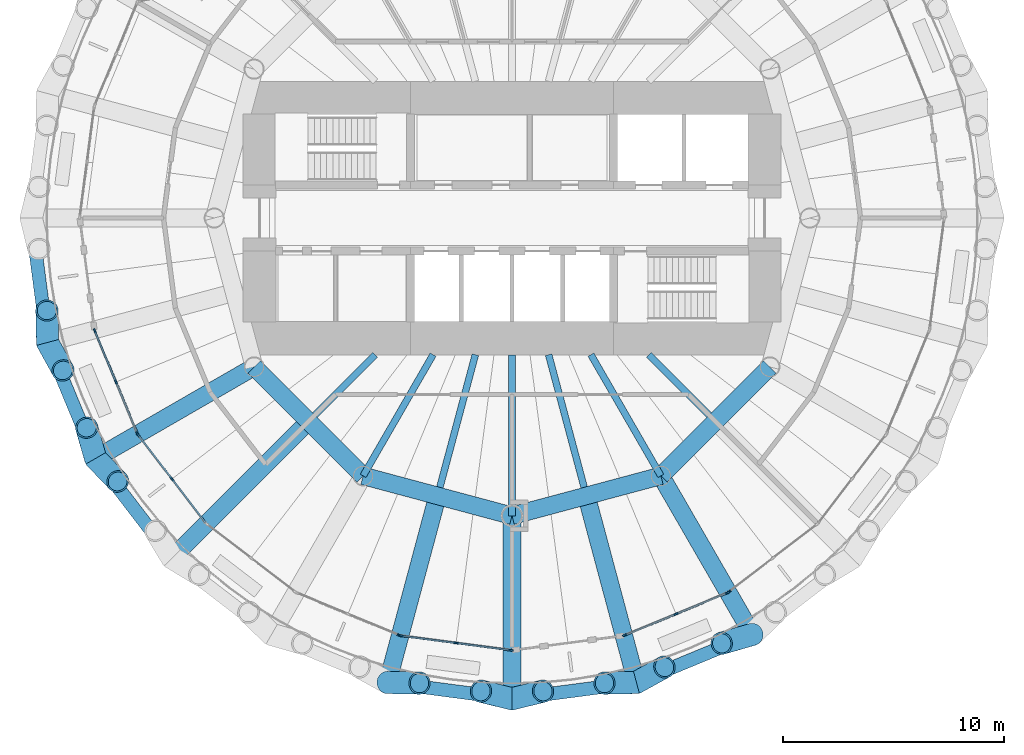
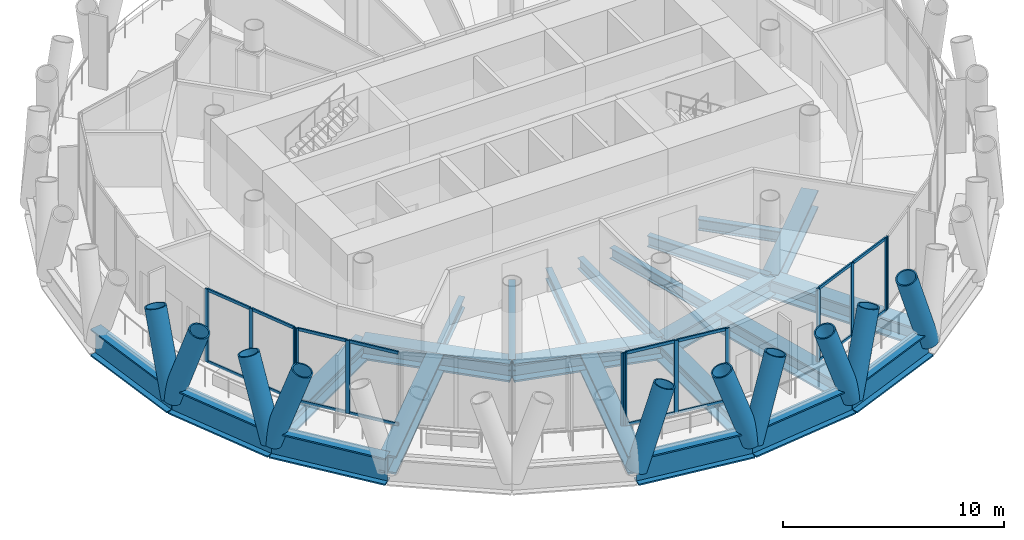
# One storey, part 2 of 14: 39 members, 23 beams, 6 elements without a shape of their own.
"""IFC4 building model written with IfcOpenShell, lengths in metres."""

from ifc_helpers import new_model, si_unit, direction, frame, origin, origin_2d, place, context, subcontext, project, spatial, rectangle, hollow_circle, i_section, extrude, material, material_profile, profile_set, type_object, element, aggregate, save


model = new_model("IFC4")

# Units and contexts
model_context = context("Model", 3, precision=1e-05, world=origin(), true_north=direction((0.0, 1.0)))
body_context = subcontext(model_context, "Body", "Model", "MODEL_VIEW")
ifc_project = project(units=[si_unit("LENGTHUNIT", "METRE"), si_unit("AREAUNIT", "SQUARE_METRE"), si_unit("VOLUMEUNIT", "CUBIC_METRE"), si_unit("PLANEANGLEUNIT", "RADIAN"), si_unit("MASSUNIT", "GRAM", prefix="KILO")], contexts=[model_context])

# Site, building, storey
site_placement = place(None, origin())
site = spatial("IfcSite", under=ifc_project, at=site_placement, CompositionType="ELEMENT")
building_placement = place(site_placement, origin())
building = spatial("IfcBuilding", under=site, at=building_placement, Name="Qaws Media Tower", CompositionType="ELEMENT")
storey_placement = place(building_placement, frame((0.0, 0.0, 261.199951171875)))
storey = spatial("IfcBuildingStorey", under=building, at=storey_placement, Name="L60", CompositionType="ELEMENT", Elevation=261.199951171875)

# Curtain wall, members
ifc_material_1 = material(Name="Aluminium and clear glass", Category="aluminium")
curtain_wall_type = type_object("IfcCurtainWallType", Name="Unitised curtain wall CW-D", PredefinedType="NOTDEFINED", material=ifc_material_1)
curtain_wall_1_placement = place(storey_placement, origin())
curtain_wall_1 = element("IfcCurtainWall", 1, at=curtain_wall_1_placement, inside=storey, type_object=curtain_wall_type, Name="CWD curtain wall L60-14", PredefinedType="NOTDEFINED")
ifc_material_2 = material(Name="Aluminium mullion", Category="aluminium")
ifc_material_profile_1 = material_profile(ifc_material_2, rectangle(XDim=0.080078125, YDim=0.199951171875, at=origin_2d()), Name="80x200")
ifc_profile_set_1 = profile_set([ifc_material_profile_1], Name="Aluminium mullion")
member_type_1 = type_object("IfcMemberType", Name="Curtain wall mullion 80x200", PredefinedType="MULLION", material=ifc_profile_set_1)
member_1_placement = place(storey_placement, frame((41.083251953125, 44.89013671875, 0.0), z_axis=(0.0, 0.0, 1.0), x_axis=(0.923879560063, 0.382683365851, 0.0)))
member_1 = element("IfcMember", 2, at=member_1_placement, type_object=member_type_1, Name="CWD mullion 1", PredefinedType="MULLION", context=body_context, shape_type="SweptSolid", body=[
    extrude(rectangle(XDim=0.080078125, YDim=0.199951171875, at=origin_2d()), origin(), (0.0, 0.0, 1.0), 4.0400390625),
])
member_2_placement = place(storey_placement, frame((42.046875, 42.5634765625, 0.0), z_axis=(0.0, 0.0, 1.0), x_axis=(0.923879560063, 0.382683365851, 0.0)))
member_2 = element("IfcMember", 3, at=member_2_placement, type_object=member_type_1, Name="CWD mullion 2", PredefinedType="MULLION", context=body_context, shape_type="SweptSolid", body=[
    extrude(rectangle(XDim=0.080078125, YDim=0.199951171875, at=origin_2d()), origin(), (0.0, 0.0, 1.0), 4.0400390625),
])
member_3_placement = place(storey_placement, frame((43.010498046875, 40.237060546875, 0.0), z_axis=(0.0, 0.0, 1.0), x_axis=(0.923879560063, 0.382683365851, 0.0)))
member_3 = element("IfcMember", 4, at=member_3_placement, type_object=member_type_1, Name="CWD mullion 3", PredefinedType="MULLION", context=body_context, shape_type="SweptSolid", body=[
    extrude(rectangle(XDim=0.080078125, YDim=0.199951171875, at=origin_2d()), origin(), (0.0, 0.0, 1.0), 4.0400390625),
])

curtain_wall_2_placement = place(storey_placement, origin())
curtain_wall_2 = element("IfcCurtainWall", 5, at=curtain_wall_2_placement, inside=storey, type_object=curtain_wall_type, Name="CWD curtain wall L60-15", PredefinedType="NOTDEFINED")
member_4_placement = place(storey_placement, frame((43.05029296875, 40.168212890625, 0.0), z_axis=(0.0, 0.0, 1.0), x_axis=(0.793353346996, 0.608761420271, 0.0)))
member_4 = element("IfcMember", 6, at=member_4_placement, type_object=member_type_1, Name="CWD mullion 1", PredefinedType="MULLION", context=body_context, shape_type="SweptSolid", body=[
    extrude(rectangle(XDim=0.080078125, YDim=0.199951171875, at=origin_2d()), origin(), (0.0, 0.0, 1.0), 4.0400390625),
])
member_5_placement = place(storey_placement, frame((44.583251953125, 38.17041015625, 0.0), z_axis=(0.0, 0.0, 1.0), x_axis=(0.793353346996, 0.608761420271, 0.0)))
member_5 = element("IfcMember", 7, at=member_5_placement, type_object=member_type_1, Name="CWD mullion 2", PredefinedType="MULLION", context=body_context, shape_type="SweptSolid", body=[
    extrude(rectangle(XDim=0.080078125, YDim=0.199951171875, at=origin_2d()), origin(), (0.0, 0.0, 1.0), 4.0400390625),
])

# Curtain wall, member
curtain_wall_3_placement = place(storey_placement, origin())
curtain_wall_3 = element("IfcCurtainWall", 8, at=curtain_wall_3_placement, inside=storey, type_object=curtain_wall_type, Name="CWD curtain wall L60-17", PredefinedType="NOTDEFINED")
member_6_placement = place(storey_placement, frame((54.89013671875, 31.083251953125, 0.0), z_axis=(0.0, 0.0, 1.0), x_axis=(0.382683365851, 0.923879560063, 0.0)))
member_6 = element("IfcMember", 9, at=member_6_placement, type_object=member_type_1, Name="CWD mullion 3", PredefinedType="MULLION", context=body_context, shape_type="SweptSolid", body=[
    extrude(rectangle(XDim=0.080078125, YDim=0.199951171875, at=origin_2d()), origin(), (0.0, 0.0, 1.0), 4.0400390625),
])
aggregate(curtain_wall_3, [member_6])

# Curtain wall, members
curtain_wall_4_placement = place(storey_placement, origin())
curtain_wall_4 = element("IfcCurtainWall", 10, at=curtain_wall_4_placement, inside=storey, type_object=curtain_wall_type, Name="CWD curtain wall L60-18", PredefinedType="NOTDEFINED")
member_7_placement = place(storey_placement, frame((54.966796875, 31.062744140625, 0.0), z_axis=(0.0, 0.0, 1.0), x_axis=(0.130526236916, 0.991444855489, 0.0)))
member_7 = element("IfcMember", 11, at=member_7_placement, type_object=member_type_1, Name="CWD mullion 1", PredefinedType="MULLION", context=body_context, shape_type="SweptSolid", body=[
    extrude(rectangle(XDim=0.080078125, YDim=0.199951171875, at=origin_2d()), origin(), (0.0, 0.0, 1.0), 4.0400390625),
])
member_8_placement = place(storey_placement, frame((57.463623046875, 30.73388671875, 0.0), z_axis=(0.0, 0.0, 1.0), x_axis=(0.130526236916, 0.991444855489, 0.0)))
member_8 = element("IfcMember", 12, at=member_8_placement, type_object=member_type_1, Name="CWD mullion 2", PredefinedType="MULLION", context=body_context, shape_type="SweptSolid", body=[
    extrude(rectangle(XDim=0.080078125, YDim=0.199951171875, at=origin_2d()), origin(), (0.0, 0.0, 1.0), 4.0400390625),
])
member_9_placement = place(storey_placement, frame((59.96044921875, 30.4052734375, 0.0), z_axis=(0.0, 0.0, 1.0), x_axis=(0.130526236916, 0.991444855489, 0.0)))
member_9 = element("IfcMember", 13, at=member_9_placement, type_object=member_type_1, Name="CWD mullion 3", PredefinedType="MULLION", context=body_context, shape_type="SweptSolid", body=[
    extrude(rectangle(XDim=0.080078125, YDim=0.199951171875, at=origin_2d()), origin(), (0.0, 0.0, 1.0), 4.0400390625),
])

curtain_wall_5_placement = place(storey_placement, origin())
curtain_wall_5 = element("IfcCurtainWall", 14, at=curtain_wall_5_placement, inside=storey, type_object=curtain_wall_type, Name="CWD curtain wall L60-20", PredefinedType="NOTDEFINED")
member_10_placement = place(storey_placement, frame((65.10986328125, 31.083251953125, 0.0), z_axis=(0.0, 0.0, 1.0), x_axis=(-0.382683365851, 0.923879560063, 0.0)))
member_10 = element("IfcMember", 15, at=member_10_placement, type_object=member_type_1, Name="CWD mullion 1", PredefinedType="MULLION", context=body_context, shape_type="SweptSolid", body=[
    extrude(rectangle(XDim=0.080078125, YDim=0.199951171875, at=origin_2d()), origin(), (0.0, 0.0, 1.0), 4.0400390625),
])
member_11_placement = place(storey_placement, frame((67.4365234375, 32.046875, 0.0), z_axis=(0.0, 0.0, 1.0), x_axis=(-0.382683365851, 0.923879560063, 0.0)))
member_11 = element("IfcMember", 16, at=member_11_placement, type_object=member_type_1, Name="CWD mullion 2", PredefinedType="MULLION", context=body_context, shape_type="SweptSolid", body=[
    extrude(rectangle(XDim=0.080078125, YDim=0.199951171875, at=origin_2d()), origin(), (0.0, 0.0, 1.0), 4.0400390625),
])
member_12_placement = place(storey_placement, frame((69.762939453125, 33.010498046875, 0.0), z_axis=(0.0, 0.0, 1.0), x_axis=(-0.382683365851, 0.923879560063, 0.0)))
member_12 = element("IfcMember", 17, at=member_12_placement, type_object=member_type_1, Name="CWD mullion 3", PredefinedType="MULLION", context=body_context, shape_type="SweptSolid", body=[
    extrude(rectangle(XDim=0.080078125, YDim=0.199951171875, at=origin_2d()), origin(), (0.0, 0.0, 1.0), 4.0400390625),
])

# Curtain wall, member
curtain_wall_6_placement = place(storey_placement, origin())
curtain_wall_6 = element("IfcCurtainWall", 18, at=curtain_wall_6_placement, inside=storey, type_object=curtain_wall_type, Name="CWD curtain wall L60-21", PredefinedType="NOTDEFINED")
member_13_placement = place(storey_placement, frame((69.831787109375, 33.05029296875, 0.0), z_axis=(0.0, 0.0, 1.0), x_axis=(-0.608761420271, 0.793353346996, 0.0)))
member_13 = element("IfcMember", 19, at=member_13_placement, type_object=member_type_1, Name="CWD mullion 1", PredefinedType="MULLION", context=body_context, shape_type="SweptSolid", body=[
    extrude(rectangle(XDim=0.080078125, YDim=0.199951171875, at=origin_2d()), origin(), (0.0, 0.0, 1.0), 4.0400390625),
])
aggregate(curtain_wall_6, [member_13])

# Member
ifc_material_3 = material(Name="Aluminium transom", Category="aluminium")
ifc_material_profile_2 = material_profile(ifc_material_3, rectangle(XDim=0.080078125, YDim=0.159912109375, at=origin_2d()), Name="80x160")
ifc_profile_set_2 = profile_set([ifc_material_profile_2], Name="Aluminium transom")
member_type_2 = type_object("IfcMemberType", Name="Curtain wall transom 80x160", PredefinedType="USERDEFINED", material=ifc_profile_set_2)
member_14_placement = place(storey_placement, frame((41.098388671875, 44.853271484375, 0.0400390625), z_axis=(0.382687830351, -0.923877710793, 0.0), x_axis=(0.923877710793, 0.382687830351, 0.0)))
member_14 = element("IfcMember", 20, at=member_14_placement, type_object=member_type_2, Name="CWD transom 1.1", ObjectType="TRANSOM", PredefinedType="USERDEFINED", context=body_context, shape_type="SweptSolid", body=[
    extrude(rectangle(XDim=0.080078125, YDim=0.159912109375, at=origin_2d()), origin(), (0.0, 0.0, 1.0), 2.438232421875),
])

member_15_placement = place(storey_placement, frame((41.098388671875, 44.853271484375, 4.0), z_axis=(0.382687830351, -0.923877710793, 0.0), x_axis=(0.923877710793, 0.382687830351, 0.0)))
member_15 = element("IfcMember", 21, at=member_15_placement, type_object=member_type_2, Name="CWD transom 1.2", ObjectType="TRANSOM", PredefinedType="USERDEFINED", context=body_context, shape_type="SweptSolid", body=[
    extrude(rectangle(XDim=0.080078125, YDim=0.159912109375, at=origin_2d()), origin(), (0.0, 0.0, 1.0), 2.438232421875),
])

member_16_placement = place(storey_placement, frame((42.062255859375, 42.526611328125, 0.0400390625), z_axis=(0.382687830351, -0.923877710793, 0.0), x_axis=(0.923877710793, 0.382687830351, 0.0)))
member_16 = element("IfcMember", 22, at=member_16_placement, type_object=member_type_2, Name="CWD transom 2.1", ObjectType="TRANSOM", PredefinedType="USERDEFINED", context=body_context, shape_type="SweptSolid", body=[
    extrude(rectangle(XDim=0.080078125, YDim=0.159912109375, at=origin_2d()), origin(), (0.0, 0.0, 1.0), 2.438232421875),
])

member_17_placement = place(storey_placement, frame((42.062255859375, 42.526611328125, 4.0), z_axis=(0.382687830351, -0.923877710793, 0.0), x_axis=(0.923877710793, 0.382687830351, 0.0)))
member_17 = element("IfcMember", 23, at=member_17_placement, type_object=member_type_2, Name="CWD transom 2.2", ObjectType="TRANSOM", PredefinedType="USERDEFINED", context=body_context, shape_type="SweptSolid", body=[
    extrude(rectangle(XDim=0.080078125, YDim=0.159912109375, at=origin_2d()), origin(), (0.0, 0.0, 1.0), 2.438232421875),
])

aggregate(curtain_wall_1, [member_1, member_2, member_3, member_14, member_15, member_16, member_17])

member_18_placement = place(storey_placement, frame((43.07470703125, 40.136474609375, 0.0400390625), z_axis=(0.60872791556, -0.79337905494, 0.0), x_axis=(0.79337905494, 0.60872791556, 0.0)))
member_18 = element("IfcMember", 24, at=member_18_placement, type_object=member_type_2, Name="CWD transom 1.1", ObjectType="TRANSOM", PredefinedType="USERDEFINED", context=body_context, shape_type="SweptSolid", body=[
    extrude(rectangle(XDim=0.080078125, YDim=0.159912109375, at=origin_2d()), origin(), (0.0, 0.0, 1.0), 2.43798828125),
])

member_19_placement = place(storey_placement, frame((43.07470703125, 40.136474609375, 4.0), z_axis=(0.60872791556, -0.79337905494, 0.0), x_axis=(0.79337905494, 0.60872791556, 0.0)))
member_19 = element("IfcMember", 25, at=member_19_placement, type_object=member_type_2, Name="CWD transom 1.2", ObjectType="TRANSOM", PredefinedType="USERDEFINED", context=body_context, shape_type="SweptSolid", body=[
    extrude(rectangle(XDim=0.080078125, YDim=0.159912109375, at=origin_2d()), origin(), (0.0, 0.0, 1.0), 2.43798828125),
])

member_20_placement = place(storey_placement, frame((44.607666015625, 38.138671875, 0.0400390625), z_axis=(0.608742583183, -0.793367800846, 0.0), x_axis=(0.793367800846, 0.608742583183, 0.0)))
member_20 = element("IfcMember", 26, at=member_20_placement, type_object=member_type_2, Name="CWD transom 2.1", ObjectType="TRANSOM", PredefinedType="USERDEFINED", context=body_context, shape_type="SweptSolid", body=[
    extrude(rectangle(XDim=0.080078125, YDim=0.159912109375, at=origin_2d()), origin(), (0.0, 0.0, 1.0), 2.4384765625),
])

member_21_placement = place(storey_placement, frame((44.607666015625, 38.138671875, 4.0), z_axis=(0.608742583183, -0.793367800846, 0.0), x_axis=(0.793367800846, 0.608742583183, 0.0)))
member_21 = element("IfcMember", 27, at=member_21_placement, type_object=member_type_2, Name="CWD transom 2.2", ObjectType="TRANSOM", PredefinedType="USERDEFINED", context=body_context, shape_type="SweptSolid", body=[
    extrude(rectangle(XDim=0.080078125, YDim=0.159912109375, at=origin_2d()), origin(), (0.0, 0.0, 1.0), 2.4384765625),
])

aggregate(curtain_wall_2, [member_4, member_5, member_18, member_19, member_20, member_21])

member_22_placement = place(storey_placement, frame((55.00634765625, 31.057373046875, 0.0400390625), z_axis=(0.991452932295, -0.130464872832, 0.0), x_axis=(0.130464872832, 0.991452932295, 0.0)))
member_22 = element("IfcMember", 28, at=member_22_placement, type_object=member_type_2, Name="CWD transom 1.1", ObjectType="TRANSOM", PredefinedType="USERDEFINED", context=body_context, shape_type="SweptSolid", body=[
    extrude(rectangle(XDim=0.080078125, YDim=0.159912109375, at=origin_2d()), origin(), (0.0, 0.0, 1.0), 2.438232421875),
])

member_23_placement = place(storey_placement, frame((55.00634765625, 31.057373046875, 4.0), z_axis=(0.991452932295, -0.130464872832, 0.0), x_axis=(0.130464872832, 0.991452932295, 0.0)))
member_23 = element("IfcMember", 29, at=member_23_placement, type_object=member_type_2, Name="CWD transom 1.2", ObjectType="TRANSOM", PredefinedType="USERDEFINED", context=body_context, shape_type="SweptSolid", body=[
    extrude(rectangle(XDim=0.080078125, YDim=0.159912109375, at=origin_2d()), origin(), (0.0, 0.0, 1.0), 2.438232421875),
])

member_24_placement = place(storey_placement, frame((57.503173828125, 30.728759765625, 0.0400390625), z_axis=(0.991439976234, -0.130563293174, 0.0), x_axis=(0.130563293174, 0.991439976234, 0.0)))
member_24 = element("IfcMember", 30, at=member_24_placement, type_object=member_type_2, Name="CWD transom 2.1", ObjectType="TRANSOM", PredefinedType="USERDEFINED", context=body_context, shape_type="SweptSolid", body=[
    extrude(rectangle(XDim=0.080078125, YDim=0.159912109375, at=origin_2d()), origin(), (0.0, 0.0, 1.0), 2.438232421875),
])

member_25_placement = place(storey_placement, frame((57.503173828125, 30.728759765625, 4.0), z_axis=(0.991439976234, -0.130563293174, 0.0), x_axis=(0.130563293174, 0.991439976234, 0.0)))
member_25 = element("IfcMember", 31, at=member_25_placement, type_object=member_type_2, Name="CWD transom 2.2", ObjectType="TRANSOM", PredefinedType="USERDEFINED", context=body_context, shape_type="SweptSolid", body=[
    extrude(rectangle(XDim=0.080078125, YDim=0.159912109375, at=origin_2d()), origin(), (0.0, 0.0, 1.0), 2.438232421875),
])

aggregate(curtain_wall_4, [member_7, member_8, member_9, member_22, member_23, member_24, member_25])

member_26_placement = place(storey_placement, frame((65.146728515625, 31.098388671875, 0.0400390625), z_axis=(0.923877710793, 0.382687830351, 0.0), x_axis=(-0.382687830351, 0.923877710793, 0.0)))
member_26 = element("IfcMember", 32, at=member_26_placement, type_object=member_type_2, Name="CWD transom 1.1", ObjectType="TRANSOM", PredefinedType="USERDEFINED", context=body_context, shape_type="SweptSolid", body=[
    extrude(rectangle(XDim=0.080078125, YDim=0.159912109375, at=origin_2d()), origin(), (0.0, 0.0, 1.0), 2.438232421875),
])

member_27_placement = place(storey_placement, frame((65.146728515625, 31.098388671875, 4.0), z_axis=(0.923877710793, 0.382687830351, 0.0), x_axis=(-0.382687830351, 0.923877710793, 0.0)))
member_27 = element("IfcMember", 33, at=member_27_placement, type_object=member_type_2, Name="CWD transom 1.2", ObjectType="TRANSOM", PredefinedType="USERDEFINED", context=body_context, shape_type="SweptSolid", body=[
    extrude(rectangle(XDim=0.080078125, YDim=0.159912109375, at=origin_2d()), origin(), (0.0, 0.0, 1.0), 2.438232421875),
])

member_28_placement = place(storey_placement, frame((67.473388671875, 32.062255859375, 0.0400390625), z_axis=(0.923877710793, 0.382687830351, 0.0), x_axis=(-0.382687830351, 0.923877710793, 0.0)))
member_28 = element("IfcMember", 34, at=member_28_placement, type_object=member_type_2, Name="CWD transom 2.1", ObjectType="TRANSOM", PredefinedType="USERDEFINED", context=body_context, shape_type="SweptSolid", body=[
    extrude(rectangle(XDim=0.080078125, YDim=0.159912109375, at=origin_2d()), origin(), (0.0, 0.0, 1.0), 2.438232421875),
])

member_29_placement = place(storey_placement, frame((67.473388671875, 32.062255859375, 4.0), z_axis=(0.923877710793, 0.382687830351, 0.0), x_axis=(-0.382687830351, 0.923877710793, 0.0)))
member_29 = element("IfcMember", 35, at=member_29_placement, type_object=member_type_2, Name="CWD transom 2.2", ObjectType="TRANSOM", PredefinedType="USERDEFINED", context=body_context, shape_type="SweptSolid", body=[
    extrude(rectangle(XDim=0.080078125, YDim=0.159912109375, at=origin_2d()), origin(), (0.0, 0.0, 1.0), 2.438232421875),
])

aggregate(curtain_wall_5, [member_10, member_11, member_12, member_26, member_27, member_28, member_29])

# Members
ifc_material_4 = material(Name="Steel S460", Category="steel")
ifc_material_profile_3 = material_profile(ifc_material_4, hollow_circle(Radius=0.508056640625, WallThickness=0.070068359375, at=origin_2d()), Name="CHS 1016x70")
ifc_profile_set_3 = profile_set([ifc_material_profile_3], Name="Steel S460")
member_type_3 = type_object("IfcMemberType", Name="Diagrid member CHS 1016x70", PredefinedType="USERDEFINED", material=ifc_profile_set_3)
for number, where, z_axis, x_axis, name in (
    (36, (38.94287109375, 44.357666015625, -0.909912109375), (0.157171038618, -0.285545705126, 0.94538929278), (0.876059233473, 0.482203504183, 0.0), "DG3 diagrid L60 A14"),
    (37, (38.94287109375, 44.357666015625, -0.909912109375), (-0.006704360875, 0.32593085534, 0.945369837197), (-0.999788506987, -0.020565536647, 0.0), "DG3 diagrid L60 B14"),
    (38, (41.12060546875, 39.10009765625, -0.909912109375), (0.225697140124, -0.235204226864, 0.945378110919), (0.721538902884, 0.692373895828, 0.0), "DG3 diagrid L60 A15"),
    (39, (41.12060546875, 39.10009765625, -0.909912109375), (-0.090786125374, 0.313025284583, 0.945395711145), (-0.960421921722, -0.278549335443, 0.0), "DG3 diagrid L60 B15"),
    (40, (54.357666015625, 28.94287109375, -0.909912109375), (0.32593085534, -0.006704360875, 0.945369837197), (0.020565536647, 0.999788506987, 0.0), "DG3 diagrid L60 A18"),
    (41, (60.0, 28.199951171875, -0.909912109375), (0.316535346653, 0.077924847492, 0.945374577859), (-0.239043500439, 0.97100885933, 0.0), "DG3 diagrid L60 A19"),
    (42, (60.0, 28.199951171875, -0.909912109375), (-0.316535346653, 0.077924847492, 0.945374577859), (-0.239043500439, -0.97100885933, 0.0), "DG3 diagrid L60 B19"),
    (43, (65.642333984375, 28.94287109375, -0.909912109375), (0.285545705126, 0.157171038618, 0.94538929278), (-0.482203504183, 0.876059233473, 0.0), "DG3 diagrid L60 A20"),
    (44, (65.642333984375, 28.94287109375, -0.909912109375), (-0.32593085534, -0.006704360875, 0.945369837197), (0.020565536647, -0.999788506987, 0.0), "DG3 diagrid L60 B20"),
    (45, (70.89990234375, 31.12060546875, -0.909912109375), (-0.313025284583, -0.090786125374, 0.945395711145), (0.278549335443, -0.960421921722, 0.0), "DG3 diagrid L60 B21"),
):
    element("IfcMember", number, at=place(storey_placement, frame(where, z_axis=z_axis, x_axis=x_axis)), inside=storey, type_object=member_type_3, Name=name, ObjectType="DIAGRID", PredefinedType="USERDEFINED", context=body_context, shape_type="SweptSolid", body=[
        extrude(hollow_circle(Radius=0.508056640625, WallThickness=0.070068359375, at=origin_2d()), origin(), (0.0, 0.0, 1.0), 4.442626953125),
    ])

# Beams
ifc_material_5 = material(Name="Steel S460", Category="steel")
ifc_material_profile_4 = material_profile(ifc_material_5, i_section(OverallWidth=0.60009765625, OverallDepth=1.5, WebThickness=0.030029296875, FlangeThickness=0.080078125, at=origin_2d()), Name="PG 1500x600")
ifc_profile_set_4 = profile_set([ifc_material_profile_4], Name="Steel S460")
beam_type_1 = type_object("IfcBeamType", Name="Edge ring beam PG 1500x600", PredefinedType="BEAM", material=ifc_profile_set_4)
beam_1_placement = place(storey_placement, frame((38.199951171875, 50.0, -0.909912109375), z_axis=(0.130542179395, -0.991442756491, 0.0), x_axis=(0.991442756491, 0.130542179395, 0.0)))
element("IfcBeam", 46, at=beam_1_placement, inside=storey, type_object=beam_type_1, Name="RB5 edge ring beam L60-13", PredefinedType="BEAM", context=body_context, shape_type="SweptSolid", body=[
    extrude(i_section(OverallWidth=0.60009765625, OverallDepth=1.5, WebThickness=0.030029296875, FlangeThickness=0.080078125, at=origin_2d()), origin(), (0.0, 0.0, 1.0), 5.69091796875),
])
beam_2_placement = place(storey_placement, frame((38.94287109375, 44.357666015625, -0.909912109375), z_axis=(0.382680170901, -0.923880883447, 0.0), x_axis=(0.923880883447, 0.382680170901, 0.0)))
element("IfcBeam", 47, at=beam_2_placement, inside=storey, type_object=beam_type_1, Name="RB5 edge ring beam L60-14", PredefinedType="BEAM", context=body_context, shape_type="SweptSolid", body=[
    extrude(i_section(OverallWidth=0.60009765625, OverallDepth=1.5, WebThickness=0.030029296875, FlangeThickness=0.080078125, at=origin_2d()), origin(), (0.0, 0.0, 1.0), 5.690673828125),
])
beam_3_placement = place(storey_placement, frame((41.12060546875, 39.10009765625, -0.909912109375), z_axis=(0.608735904226, -0.793372925494, 0.0), x_axis=(0.793372925494, 0.608735904226, 0.0)))
element("IfcBeam", 48, at=beam_3_placement, inside=storey, type_object=beam_type_1, Name="RB5 edge ring beam L60-15", PredefinedType="BEAM", context=body_context, shape_type="SweptSolid", body=[
    extrude(i_section(OverallWidth=0.60009765625, OverallDepth=1.5, WebThickness=0.030029296875, FlangeThickness=0.080078125, at=origin_2d()), origin(), (0.0, 0.0, 1.0), 5.691162109375),
])
for number, where, z_axis, x_axis, name in (
    (49, (54.357666015625, 28.94287109375, -0.909912109375), (0.991442756491, -0.130542179395, 0.0), (0.130542179395, 0.991442756491, 0.0), "RB5 edge ring beam L60-18"),
    (50, (60.0, 28.199951171875, -0.909912109375), (0.991442756491, 0.130542179395, 0.0), (-0.130542179395, 0.991442756491, 0.0), "RB5 edge ring beam L60-19"),
):
    element("IfcBeam", number, at=place(storey_placement, frame(where, z_axis=z_axis, x_axis=x_axis)), inside=storey, type_object=beam_type_1, Name=name, PredefinedType="BEAM", context=body_context, shape_type="SweptSolid", body=[
        extrude(i_section(OverallWidth=0.60009765625, OverallDepth=1.5, WebThickness=0.030029296875, FlangeThickness=0.080078125, at=origin_2d()), origin(), (0.0, 0.0, 1.0), 5.69091796875),
    ])
beam_4_placement = place(storey_placement, frame((65.642333984375, 28.94287109375, -0.909912109375), z_axis=(0.923880883447, 0.382680170901, 0.0), x_axis=(-0.382680170901, 0.923880883447, 0.0)))
element("IfcBeam", 51, at=beam_4_placement, inside=storey, type_object=beam_type_1, Name="RB5 edge ring beam L60-20", PredefinedType="BEAM", context=body_context, shape_type="SweptSolid", body=[
    extrude(i_section(OverallWidth=0.60009765625, OverallDepth=1.5, WebThickness=0.030029296875, FlangeThickness=0.080078125, at=origin_2d()), origin(), (0.0, 0.0, 1.0), 5.690673828125),
])
ifc_material_6 = material(Name="Steel S460", Category="steel")
ifc_material_profile_5 = material_profile(ifc_material_6, i_section(OverallWidth=0.800048828125, OverallDepth=1.0, WebThickness=0.0400390625, FlangeThickness=0.10009765625, at=origin_2d()), Name="PG 1000x800")
ifc_profile_set_5 = profile_set([ifc_material_profile_5], Name="Steel S460")
beam_type_2 = type_object("IfcBeamType", Name="Inner ring girder PG 1000x800", PredefinedType="BEAM", material=ifc_profile_set_5)
beam_5_placement = place(storey_placement, frame((48.30859375, 43.25, -0.659912109375), z_axis=(0.707106781187, -0.707106781187, 0.0), x_axis=(0.707106781187, 0.707106781187, 0.0)))
element("IfcBeam", 52, at=beam_5_placement, inside=storey, type_object=beam_type_2, Name="B3 inner ring beam L60 I08-I09", PredefinedType="BEAM", context=body_context, shape_type="SweptSolid", body=[
    extrude(i_section(OverallWidth=0.800048828125, OverallDepth=1.0, WebThickness=0.0400390625, FlangeThickness=0.10009765625, at=origin_2d()), origin(), (0.0, 0.0, 1.0), 6.98828125),
])
for number, where, z_axis, x_axis, name in (
    (53, (53.25, 38.30859375, -0.659912109375), (0.965928090778, -0.258810593767, 0.0), (0.258810593767, 0.965928090778, 0.0), "B3 inner ring beam L60 I09-I10"),
    (54, (60.0, 36.5, -0.659912109375), (0.965928090778, 0.258810593767, 0.0), (-0.258810593767, 0.965928090778, 0.0), "B3 inner ring beam L60 I10-I11"),
):
    element("IfcBeam", number, at=place(storey_placement, frame(where, z_axis=z_axis, x_axis=x_axis)), inside=storey, type_object=beam_type_2, Name=name, PredefinedType="BEAM", context=body_context, shape_type="SweptSolid", body=[
        extrude(i_section(OverallWidth=0.800048828125, OverallDepth=1.0, WebThickness=0.0400390625, FlangeThickness=0.10009765625, at=origin_2d()), origin(), (0.0, 0.0, 1.0), 6.988037109375),
    ])
beam_6_placement = place(storey_placement, frame((66.75, 38.30859375, -0.659912109375), z_axis=(0.707106781187, 0.707106781187, 0.0), x_axis=(-0.707106781187, 0.707106781187, 0.0)))
element("IfcBeam", 55, at=beam_6_placement, inside=storey, type_object=beam_type_2, Name="B3 inner ring beam L60 I11-I12", PredefinedType="BEAM", context=body_context, shape_type="SweptSolid", body=[
    extrude(i_section(OverallWidth=0.800048828125, OverallDepth=1.0, WebThickness=0.0400390625, FlangeThickness=0.10009765625, at=origin_2d()), origin(), (0.0, 0.0, 1.0), 6.98828125),
])
ifc_material_7 = material(Name="Steel S355", Category="steel")
ifc_material_profile_6 = material_profile(ifc_material_7, i_section(OverallWidth=0.304931640625, OverallDepth=0.6201171875, WebThickness=0.02099609375, FlangeThickness=0.0400390625, FilletRadius=0.027099609375, at=origin_2d()), Name="HE 600 M")
ifc_profile_set_6 = profile_set([ifc_material_profile_6], Name="Steel S355")
beam_type_3 = type_object("IfcBeamType", Name="Radial beam HE 600 M, core side", PredefinedType="BEAM", material=ifc_profile_set_6)
beam_7_placement = place(storey_placement, frame((53.800048828125, 43.800048828125, -0.469970703125), z_axis=(-0.707106781187, -0.707106781187, 0.0), x_axis=(0.707106781187, -0.707106781187, 0.0)))
element("IfcBeam", 56, at=beam_7_placement, inside=storey, type_object=beam_type_3, Name="B2 radial beam L60 16", PredefinedType="BEAM", context=body_context, shape_type="SweptSolid", body=[
    extrude(i_section(OverallWidth=0.304931640625, OverallDepth=0.6201171875, WebThickness=0.02099609375, FlangeThickness=0.0400390625, FilletRadius=0.027099609375, at=origin_2d()), origin(), (0.0, 0.0, 1.0), 3.871826171875),
])
beam_8_placement = place(storey_placement, frame((56.42041015625, 43.800048828125, -0.469970703125), z_axis=(-0.499990193304, -0.866031065609, 0.0), x_axis=(0.866031065609, -0.499990193304, 0.0)))
element("IfcBeam", 57, at=beam_8_placement, inside=storey, type_object=beam_type_3, Name="B2 radial beam L60 17", PredefinedType="BEAM", context=body_context, shape_type="SweptSolid", body=[
    extrude(i_section(OverallWidth=0.304931640625, OverallDepth=0.6201171875, WebThickness=0.02099609375, FlangeThickness=0.0400390625, FilletRadius=0.027099609375, at=origin_2d()), origin(), (0.0, 0.0, 1.0), 6.341064453125),
])
beam_9_placement = place(storey_placement, frame((58.338623046875, 43.800048828125, -0.469970703125), z_axis=(-0.258808008719, -0.965928783412, 0.0), x_axis=(0.965928783412, -0.258808008719, 0.0)))
element("IfcBeam", 58, at=beam_9_placement, inside=storey, type_object=beam_type_3, Name="B2 radial beam L60 18", PredefinedType="BEAM", context=body_context, shape_type="SweptSolid", body=[
    extrude(i_section(OverallWidth=0.304931640625, OverallDepth=0.6201171875, WebThickness=0.02099609375, FlangeThickness=0.0400390625, FilletRadius=0.027099609375, at=origin_2d()), origin(), (0.0, 0.0, 1.0), 6.22119140625),
])
beam_10_placement = place(storey_placement, frame((60.0, 43.800048828125, -0.469970703125), z_axis=(0.0, -1.0, 0.0), x_axis=(1.0, 0.0, 0.0)))
element("IfcBeam", 59, at=beam_10_placement, inside=storey, type_object=beam_type_3, Name="B2 radial beam L60 19", PredefinedType="BEAM", context=body_context, shape_type="SweptSolid", body=[
    extrude(i_section(OverallWidth=0.304931640625, OverallDepth=0.6201171875, WebThickness=0.02099609375, FlangeThickness=0.0400390625, FilletRadius=0.027099609375, at=origin_2d()), origin(), (0.0, 0.0, 1.0), 7.300048828125),
])
beam_11_placement = place(storey_placement, frame((61.661376953125, 43.800048828125, -0.469970703125), z_axis=(0.258808008719, -0.965928783412, 0.0), x_axis=(0.965928783412, 0.258808008719, 0.0)))
element("IfcBeam", 60, at=beam_11_placement, inside=storey, type_object=beam_type_3, Name="B2 radial beam L60 20", PredefinedType="BEAM", context=body_context, shape_type="SweptSolid", body=[
    extrude(i_section(OverallWidth=0.304931640625, OverallDepth=0.6201171875, WebThickness=0.02099609375, FlangeThickness=0.0400390625, FilletRadius=0.027099609375, at=origin_2d()), origin(), (0.0, 0.0, 1.0), 6.22119140625),
])
beam_12_placement = place(storey_placement, frame((63.57958984375, 43.800048828125, -0.469970703125), z_axis=(0.499990193304, -0.866031065609, 0.0), x_axis=(0.866031065609, 0.499990193304, 0.0)))
element("IfcBeam", 61, at=beam_12_placement, inside=storey, type_object=beam_type_3, Name="B2 radial beam L60 21", PredefinedType="BEAM", context=body_context, shape_type="SweptSolid", body=[
    extrude(i_section(OverallWidth=0.304931640625, OverallDepth=0.6201171875, WebThickness=0.02099609375, FlangeThickness=0.0400390625, FilletRadius=0.027099609375, at=origin_2d()), origin(), (0.0, 0.0, 1.0), 6.341064453125),
])
beam_13_placement = place(storey_placement, frame((66.199951171875, 43.800048828125, -0.469970703125), z_axis=(0.707106781187, -0.707106781187, 0.0), x_axis=(0.707106781187, 0.707106781187, 0.0)))
element("IfcBeam", 62, at=beam_13_placement, inside=storey, type_object=beam_type_3, Name="B2 radial beam L60 22", PredefinedType="BEAM", context=body_context, shape_type="SweptSolid", body=[
    extrude(i_section(OverallWidth=0.304931640625, OverallDepth=0.6201171875, WebThickness=0.02099609375, FlangeThickness=0.0400390625, FilletRadius=0.027099609375, at=origin_2d()), origin(), (0.0, 0.0, 1.0), 3.871826171875),
])
ifc_material_8 = material(Name="Steel S460", Category="steel")
ifc_material_profile_7 = material_profile(ifc_material_8, i_section(OverallWidth=0.800048828125, OverallDepth=1.0, WebThickness=0.0400390625, FlangeThickness=0.10009765625, at=origin_2d()), Name="PG 1000x800")
ifc_profile_set_7 = profile_set([ifc_material_profile_7], Name="Steel S460")
beam_type_4 = type_object("IfcBeamType", Name="Radial girder PG 1000x800", PredefinedType="BEAM", material=ifc_profile_set_7)
beam_14_placement = place(storey_placement, frame((48.30859375, 43.25, -0.659912109375), z_axis=(-0.86602981871, -0.499992353047, 0.0), x_axis=(0.499992353047, -0.86602981871, 0.0)))
element("IfcBeam", 63, at=beam_14_placement, inside=storey, type_object=beam_type_4, Name="B1 radial beam L60 15", PredefinedType="BEAM", context=body_context, shape_type="SweptSolid", body=[
    extrude(i_section(OverallWidth=0.800048828125, OverallDepth=1.0, WebThickness=0.0400390625, FlangeThickness=0.10009765625, at=origin_2d()), origin(), (0.0, 0.0, 1.0), 8.300048828125),
])
beam_15_placement = place(storey_placement, frame((50.49658203125, 40.49658203125, -0.659912109375), z_axis=(-0.707106781187, -0.707106781187, 0.0), x_axis=(0.707106781187, -0.707106781187, 0.0)))
element("IfcBeam", 64, at=beam_15_placement, inside=storey, type_object=beam_type_4, Name="B1 radial beam L60 16", PredefinedType="BEAM", context=body_context, shape_type="SweptSolid", body=[
    extrude(i_section(OverallWidth=0.800048828125, OverallDepth=1.0, WebThickness=0.0400390625, FlangeThickness=0.10009765625, at=origin_2d()), origin(), (0.0, 0.0, 1.0), 8.3603515625),
])
beam_16_placement = place(storey_placement, frame((56.521484375, 37.01806640625, -0.659912109375), z_axis=(-0.258827560057, -0.965923544674, 0.0), x_axis=(0.965923544674, -0.258827560057, 0.0)))
element("IfcBeam", 65, at=beam_16_placement, inside=storey, type_object=beam_type_4, Name="B1 radial beam L60 18", PredefinedType="BEAM", context=body_context, shape_type="SweptSolid", body=[
    extrude(i_section(OverallWidth=0.800048828125, OverallDepth=1.0, WebThickness=0.0400390625, FlangeThickness=0.10009765625, at=origin_2d()), origin(), (0.0, 0.0, 1.0), 8.360107421875),
])
beam_17_placement = place(storey_placement, frame((60.0, 36.5, -0.659912109375), z_axis=(0.0, -1.0, 0.0), x_axis=(1.0, 0.0, 0.0)))
element("IfcBeam", 66, at=beam_17_placement, inside=storey, type_object=beam_type_4, Name="B1 radial beam L60 19", PredefinedType="BEAM", context=body_context, shape_type="SweptSolid", body=[
    extrude(i_section(OverallWidth=0.800048828125, OverallDepth=1.0, WebThickness=0.0400390625, FlangeThickness=0.10009765625, at=origin_2d()), origin(), (0.0, 0.0, 1.0), 8.300048828125),
])
beam_18_placement = place(storey_placement, frame((63.478515625, 37.01806640625, -0.659912109375), z_axis=(0.258827560057, -0.965923544674, 0.0), x_axis=(0.965923544674, 0.258827560057, 0.0)))
element("IfcBeam", 67, at=beam_18_placement, inside=storey, type_object=beam_type_4, Name="B1 radial beam L60 20", PredefinedType="BEAM", context=body_context, shape_type="SweptSolid", body=[
    extrude(i_section(OverallWidth=0.800048828125, OverallDepth=1.0, WebThickness=0.0400390625, FlangeThickness=0.10009765625, at=origin_2d()), origin(), (0.0, 0.0, 1.0), 8.360107421875),
])
beam_19_placement = place(storey_placement, frame((66.75, 38.30859375, -0.659912109375), z_axis=(0.499992353047, -0.86602981871, 0.0), x_axis=(0.86602981871, 0.499992353047, 0.0)))
element("IfcBeam", 68, at=beam_19_placement, inside=storey, type_object=beam_type_4, Name="B1 radial beam L60 21", PredefinedType="BEAM", context=body_context, shape_type="SweptSolid", body=[
    extrude(i_section(OverallWidth=0.800048828125, OverallDepth=1.0, WebThickness=0.0400390625, FlangeThickness=0.10009765625, at=origin_2d()), origin(), (0.0, 0.0, 1.0), 8.300048828125),
])

save(model, "model.ifc")
